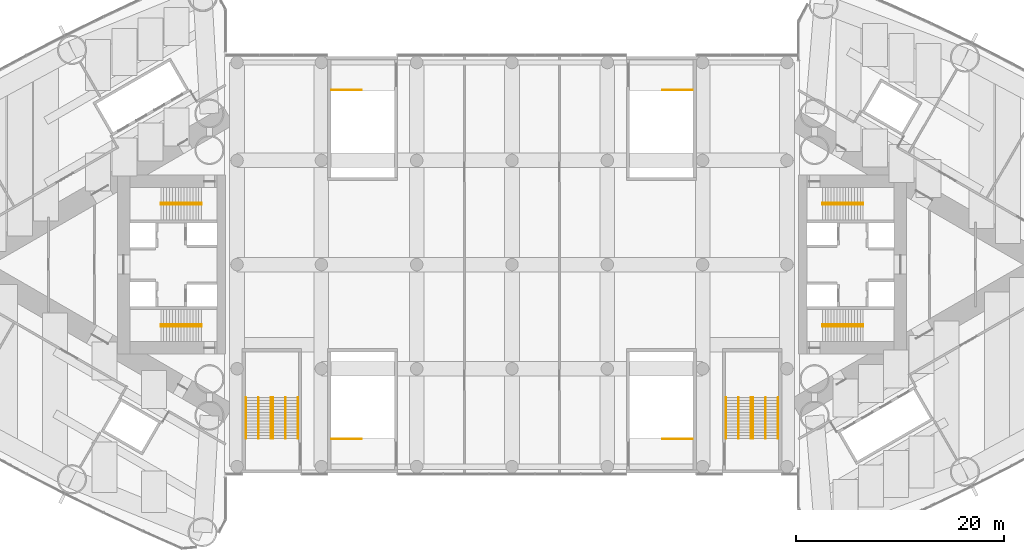
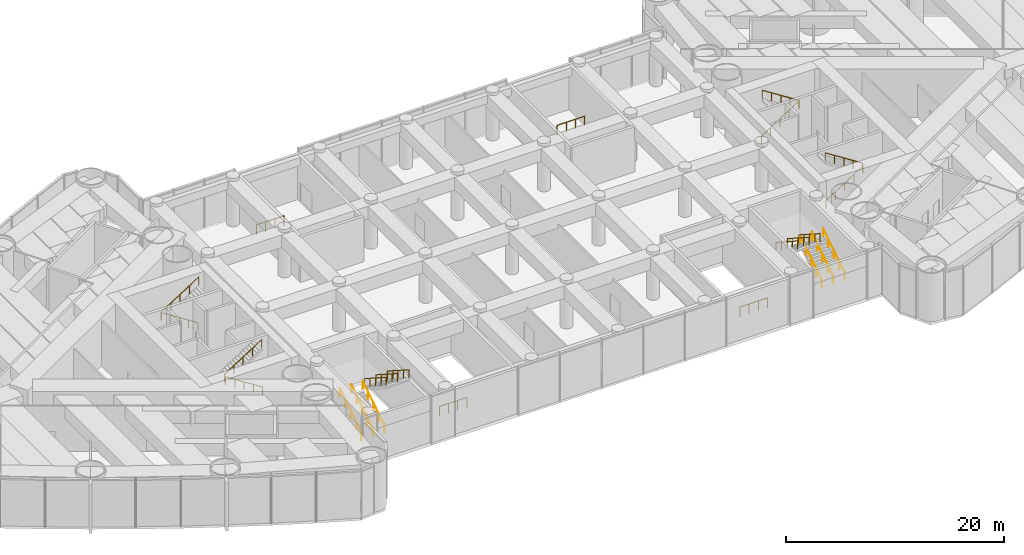
# One storey, part 20 of 20: 24 railings.
"""IFC4 building model written with IfcOpenShell, lengths in metres."""

from ifc_helpers import new_model, si_unit, direction, frame, origin, origin_2d, place, context, subcontext, project, spatial, circle, extrude, material, type_object, element, save


model = new_model("IFC4")

# Units and contexts
model_context = context("Model", 3, precision=1e-05, world=origin(), true_north=direction((0.0, 1.0)))
body_context = subcontext(model_context, "Body", "Model", "MODEL_VIEW")
ifc_project = project(units=[si_unit("LENGTHUNIT", "METRE"), si_unit("AREAUNIT", "SQUARE_METRE"), si_unit("VOLUMEUNIT", "CUBIC_METRE"), si_unit("PLANEANGLEUNIT", "RADIAN"), si_unit("MASSUNIT", "GRAM", prefix="KILO")], contexts=[model_context])

# Site, building, storey
site_placement = place(None, origin())
site = spatial("IfcSite", under=ifc_project, at=site_placement, CompositionType="ELEMENT")
building_placement = place(site_placement, origin())
building = spatial("IfcBuilding", under=site, at=building_placement, Name="Lancet Gate Hotel", CompositionType="ELEMENT")
storey_placement = place(building_placement, frame((0.0, 0.0, 7.199951171875)))
storey = spatial("IfcBuildingStorey", under=building, at=storey_placement, Name="L01", CompositionType="ELEMENT", Elevation=7.199951171875)

# Railings
ifc_material_1 = material(Name="Stainless steel handrail", Category="steel")
railing_type_1 = type_object("IfcRailingType", Name="Stair centre handrail 900", PredefinedType="HANDRAIL", material=ifc_material_1)
railing_1_placement = place(storey_placement, frame((24.35009765625, -16.699951171875, 0.179931640625)))
element("IfcRailing", 1, at=railing_1_placement, inside=storey, type_object=railing_type_1, Name="PS5 handrail flight 1 centre L01", PredefinedType="HANDRAIL", context=body_context, shape_type="SweptSolid", body=[
    extrude(circle(Radius=0.02392578125, at=origin_2d()), frame((0.0, 0.0, 0.8759765625), z_axis=(0.0, 0.841171666519, 0.540768182723), x_axis=(-1.0, 0.0, 0.0)), (0.0, 0.0, 1.0), 4.66015625),
    extrude(circle(Radius=0.02099609375, at=origin_2d()), origin(), (0.0, 0.0, 1.0), 0.851806640625),
    extrude(circle(Radius=0.02099609375, at=origin_2d()), frame((0.0, 0.97998046875, 0.6298828125)), (0.0, 0.0, 1.0), 0.851806640625),
    extrude(circle(Radius=0.02099609375, at=origin_2d()), frame((0.0, 1.9599609375, 1.260009765625)), (0.0, 0.0, 1.0), 0.851806640625),
    extrude(circle(Radius=0.02099609375, at=origin_2d()), frame((0.0, 2.93994140625, 1.89013671875)), (0.0, 0.0, 1.0), 0.851806640625),
    extrude(circle(Radius=0.02099609375, at=origin_2d()), frame((0.0, 3.919921875, 2.52001953125)), (0.0, 0.0, 1.0), 0.851806640625),
])
railing_2_placement = place(storey_placement, frame((21.75, -12.780029296875, 2.880126953125)))
element("IfcRailing", 2, at=railing_2_placement, inside=storey, type_object=railing_type_1, Name="PS5 handrail flight 2 centre L01", PredefinedType="HANDRAIL", context=body_context, shape_type="SweptSolid", body=[
    extrude(circle(Radius=0.02392578125, at=origin_2d()), frame((0.0, 0.0, 0.8759765625), z_axis=(0.0, -0.841171666519, 0.540768182723), x_axis=(1.0, 0.0, 0.0)), (0.0, 0.0, 1.0), 4.66015625),
    extrude(circle(Radius=0.02099609375, at=origin_2d()), origin(), (0.0, 0.0, 1.0), 0.851806640625),
    extrude(circle(Radius=0.02099609375, at=origin_2d()), frame((0.0, -0.97998046875, 0.6298828125)), (0.0, 0.0, 1.0), 0.851806640625),
    extrude(circle(Radius=0.02099609375, at=origin_2d()), frame((0.0, -1.9599609375, 1.260009765625)), (0.0, 0.0, 1.0), 0.851806640625),
    extrude(circle(Radius=0.02099609375, at=origin_2d()), frame((0.0, -2.93994140625, 1.89013671875)), (0.0, 0.0, 1.0), 0.851806640625),
    extrude(circle(Radius=0.02099609375, at=origin_2d()), frame((0.0, -3.919921875, 2.52001953125)), (0.0, 0.0, 1.0), 0.851806640625),
])
railing_3_placement = place(storey_placement, frame((-24.35009765625, -16.699951171875, 0.179931640625)))
element("IfcRailing", 3, at=railing_3_placement, inside=storey, type_object=railing_type_1, Name="PS6 handrail flight 1 centre L01", PredefinedType="HANDRAIL", context=body_context, shape_type="SweptSolid", body=[
    extrude(circle(Radius=0.02392578125, at=origin_2d()), frame((0.0, 0.0, 0.8759765625), z_axis=(0.0, 0.841171666519, 0.540768182723), x_axis=(-1.0, 0.0, 0.0)), (0.0, 0.0, 1.0), 4.66015625),
    extrude(circle(Radius=0.02099609375, at=origin_2d()), origin(), (0.0, 0.0, 1.0), 0.851806640625),
    extrude(circle(Radius=0.02099609375, at=origin_2d()), frame((0.0, 0.97998046875, 0.6298828125)), (0.0, 0.0, 1.0), 0.851806640625),
    extrude(circle(Radius=0.02099609375, at=origin_2d()), frame((0.0, 1.9599609375, 1.260009765625)), (0.0, 0.0, 1.0), 0.851806640625),
    extrude(circle(Radius=0.02099609375, at=origin_2d()), frame((0.0, 2.93994140625, 1.89013671875)), (0.0, 0.0, 1.0), 0.851806640625),
    extrude(circle(Radius=0.02099609375, at=origin_2d()), frame((0.0, 3.919921875, 2.52001953125)), (0.0, 0.0, 1.0), 0.851806640625),
])
railing_4_placement = place(storey_placement, frame((-21.75, -12.780029296875, 2.880126953125)))
element("IfcRailing", 4, at=railing_4_placement, inside=storey, type_object=railing_type_1, Name="PS6 handrail flight 2 centre L01", PredefinedType="HANDRAIL", context=body_context, shape_type="SweptSolid", body=[
    extrude(circle(Radius=0.02392578125, at=origin_2d()), frame((0.0, 0.0, 0.8759765625), z_axis=(0.0, -0.841171666519, 0.540768182723), x_axis=(1.0, 0.0, 0.0)), (0.0, 0.0, 1.0), 4.66015625),
    extrude(circle(Radius=0.02099609375, at=origin_2d()), origin(), (0.0, 0.0, 1.0), 0.851806640625),
    extrude(circle(Radius=0.02099609375, at=origin_2d()), frame((0.0, -0.97998046875, 0.6298828125)), (0.0, 0.0, 1.0), 0.851806640625),
    extrude(circle(Radius=0.02099609375, at=origin_2d()), frame((0.0, -1.9599609375, 1.260009765625)), (0.0, 0.0, 1.0), 0.851806640625),
    extrude(circle(Radius=0.02099609375, at=origin_2d()), frame((0.0, -2.93994140625, 1.89013671875)), (0.0, 0.0, 1.0), 0.851806640625),
    extrude(circle(Radius=0.02099609375, at=origin_2d()), frame((0.0, -3.919921875, 2.52001953125)), (0.0, 0.0, 1.0), 0.851806640625),
])
ifc_material_2 = material(Name="Stainless steel handrail", Category="steel")
railing_type_2 = type_object("IfcRailingType", Name="Stair handrail 900", PredefinedType="HANDRAIL", material=ifc_material_2)
railing_5_placement = place(storey_placement, frame((-29.800048828125, 5.929931640625, 0.179931640625)))
element("IfcRailing", 5, at=railing_5_placement, inside=storey, type_object=railing_type_2, Name="ST1 handrail flight 1 L01", PredefinedType="HANDRAIL", context=body_context, shape_type="SweptSolid", body=[
    extrude(circle(Radius=0.02392578125, at=origin_2d()), frame((0.0, 0.0, 0.8759765625), z_axis=(-0.841171666519, 0.0, 0.540768182723), x_axis=(0.0, -1.0, 0.0)), (0.0, 0.0, 1.0), 4.66015625),
    extrude(circle(Radius=0.02099609375, at=origin_2d()), origin(), (0.0, 0.0, 1.0), 0.851806640625),
    extrude(circle(Radius=0.02099609375, at=origin_2d()), frame((-0.97998046875, 0.0, 0.6298828125)), (0.0, 0.0, 1.0), 0.851806640625),
    extrude(circle(Radius=0.02099609375, at=origin_2d()), frame((-1.9599609375, 0.0, 1.260009765625)), (0.0, 0.0, 1.0), 0.851806640625),
    extrude(circle(Radius=0.02099609375, at=origin_2d()), frame((-2.93994140625, 0.0, 1.89013671875)), (0.0, 0.0, 1.0), 0.851806640625),
    extrude(circle(Radius=0.02099609375, at=origin_2d()), frame((-3.919921875, 0.0, 2.52001953125)), (0.0, 0.0, 1.0), 0.851806640625),
])
railing_6_placement = place(storey_placement, frame((-33.719970703125, 5.77001953125, 2.880126953125)))
element("IfcRailing", 6, at=railing_6_placement, inside=storey, type_object=railing_type_2, Name="ST1 handrail flight 2 L01", PredefinedType="HANDRAIL", context=body_context, shape_type="SweptSolid", body=[
    extrude(circle(Radius=0.02392578125, at=origin_2d()), frame((0.0, 0.0, 0.8759765625), z_axis=(0.841171666519, 0.0, 0.540768182723), x_axis=(0.0, 1.0, 0.0)), (0.0, 0.0, 1.0), 4.66015625),
    extrude(circle(Radius=0.02099609375, at=origin_2d()), origin(), (0.0, 0.0, 1.0), 0.851806640625),
    extrude(circle(Radius=0.02099609375, at=origin_2d()), frame((0.97998046875, 0.0, 0.6298828125)), (0.0, 0.0, 1.0), 0.851806640625),
    extrude(circle(Radius=0.02099609375, at=origin_2d()), frame((1.9599609375, 0.0, 1.260009765625)), (0.0, 0.0, 1.0), 0.851806640625),
    extrude(circle(Radius=0.02099609375, at=origin_2d()), frame((2.93994140625, 0.0, 1.89013671875)), (0.0, 0.0, 1.0), 0.851806640625),
    extrude(circle(Radius=0.02099609375, at=origin_2d()), frame((3.919921875, 0.0, 2.52001953125)), (0.0, 0.0, 1.0), 0.851806640625),
])
railing_7_placement = place(storey_placement, frame((-29.800048828125, -5.929931640625, 0.179931640625)))
element("IfcRailing", 7, at=railing_7_placement, inside=storey, type_object=railing_type_2, Name="ST2 handrail flight 1 L01", PredefinedType="HANDRAIL", context=body_context, shape_type="SweptSolid", body=[
    extrude(circle(Radius=0.02392578125, at=origin_2d()), frame((0.0, 0.0, 0.8759765625), z_axis=(-0.841171666519, 0.0, 0.540768182723), x_axis=(0.0, -1.0, 0.0)), (0.0, 0.0, 1.0), 4.66015625),
    extrude(circle(Radius=0.02099609375, at=origin_2d()), origin(), (0.0, 0.0, 1.0), 0.851806640625),
    extrude(circle(Radius=0.02099609375, at=origin_2d()), frame((-0.97998046875, 0.0, 0.6298828125)), (0.0, 0.0, 1.0), 0.851806640625),
    extrude(circle(Radius=0.02099609375, at=origin_2d()), frame((-1.9599609375, 0.0, 1.260009765625)), (0.0, 0.0, 1.0), 0.851806640625),
    extrude(circle(Radius=0.02099609375, at=origin_2d()), frame((-2.93994140625, 0.0, 1.89013671875)), (0.0, 0.0, 1.0), 0.851806640625),
    extrude(circle(Radius=0.02099609375, at=origin_2d()), frame((-3.919921875, 0.0, 2.52001953125)), (0.0, 0.0, 1.0), 0.851806640625),
])
for number, where, name in (
    (8, (-33.719970703125, -5.77001953125, 2.880126953125), "ST2 handrail flight 2 L01"),
    (9, (29.800048828125, -5.929931640625, 0.179931640625), "ST3 handrail flight 1 L01"),
):
    element("IfcRailing", number, at=place(storey_placement, frame(where)), inside=storey, type_object=railing_type_2, Name=name, PredefinedType="HANDRAIL", context=body_context, shape_type="SweptSolid", body=[
        extrude(circle(Radius=0.02392578125, at=origin_2d()), frame((0.0, 0.0, 0.8759765625), z_axis=(0.841171666519, 0.0, 0.540768182723), x_axis=(0.0, 1.0, 0.0)), (0.0, 0.0, 1.0), 4.66015625),
        extrude(circle(Radius=0.02099609375, at=origin_2d()), origin(), (0.0, 0.0, 1.0), 0.851806640625),
        extrude(circle(Radius=0.02099609375, at=origin_2d()), frame((0.97998046875, 0.0, 0.6298828125)), (0.0, 0.0, 1.0), 0.851806640625),
        extrude(circle(Radius=0.02099609375, at=origin_2d()), frame((1.9599609375, 0.0, 1.260009765625)), (0.0, 0.0, 1.0), 0.851806640625),
        extrude(circle(Radius=0.02099609375, at=origin_2d()), frame((2.93994140625, 0.0, 1.89013671875)), (0.0, 0.0, 1.0), 0.851806640625),
        extrude(circle(Radius=0.02099609375, at=origin_2d()), frame((3.919921875, 0.0, 2.52001953125)), (0.0, 0.0, 1.0), 0.851806640625),
    ])
railing_8_placement = place(storey_placement, frame((33.719970703125, -5.77001953125, 2.880126953125)))
element("IfcRailing", 10, at=railing_8_placement, inside=storey, type_object=railing_type_2, Name="ST3 handrail flight 2 L01", PredefinedType="HANDRAIL", context=body_context, shape_type="SweptSolid", body=[
    extrude(circle(Radius=0.02392578125, at=origin_2d()), frame((0.0, 0.0, 0.8759765625), z_axis=(-0.841171666519, 0.0, 0.540768182723), x_axis=(0.0, -1.0, 0.0)), (0.0, 0.0, 1.0), 4.66015625),
    extrude(circle(Radius=0.02099609375, at=origin_2d()), origin(), (0.0, 0.0, 1.0), 0.851806640625),
    extrude(circle(Radius=0.02099609375, at=origin_2d()), frame((-0.97998046875, 0.0, 0.6298828125)), (0.0, 0.0, 1.0), 0.851806640625),
    extrude(circle(Radius=0.02099609375, at=origin_2d()), frame((-1.9599609375, 0.0, 1.260009765625)), (0.0, 0.0, 1.0), 0.851806640625),
    extrude(circle(Radius=0.02099609375, at=origin_2d()), frame((-2.93994140625, 0.0, 1.89013671875)), (0.0, 0.0, 1.0), 0.851806640625),
    extrude(circle(Radius=0.02099609375, at=origin_2d()), frame((-3.919921875, 0.0, 2.52001953125)), (0.0, 0.0, 1.0), 0.851806640625),
])
railing_9_placement = place(storey_placement, frame((29.800048828125, 5.929931640625, 0.179931640625)))
element("IfcRailing", 11, at=railing_9_placement, inside=storey, type_object=railing_type_2, Name="ST4 handrail flight 1 L01", PredefinedType="HANDRAIL", context=body_context, shape_type="SweptSolid", body=[
    extrude(circle(Radius=0.02392578125, at=origin_2d()), frame((0.0, 0.0, 0.8759765625), z_axis=(0.841171666519, 0.0, 0.540768182723), x_axis=(0.0, 1.0, 0.0)), (0.0, 0.0, 1.0), 4.66015625),
    extrude(circle(Radius=0.02099609375, at=origin_2d()), origin(), (0.0, 0.0, 1.0), 0.851806640625),
    extrude(circle(Radius=0.02099609375, at=origin_2d()), frame((0.97998046875, 0.0, 0.6298828125)), (0.0, 0.0, 1.0), 0.851806640625),
    extrude(circle(Radius=0.02099609375, at=origin_2d()), frame((1.9599609375, 0.0, 1.260009765625)), (0.0, 0.0, 1.0), 0.851806640625),
    extrude(circle(Radius=0.02099609375, at=origin_2d()), frame((2.93994140625, 0.0, 1.89013671875)), (0.0, 0.0, 1.0), 0.851806640625),
    extrude(circle(Radius=0.02099609375, at=origin_2d()), frame((3.919921875, 0.0, 2.52001953125)), (0.0, 0.0, 1.0), 0.851806640625),
])
railing_10_placement = place(storey_placement, frame((33.719970703125, 5.77001953125, 2.880126953125)))
element("IfcRailing", 12, at=railing_10_placement, inside=storey, type_object=railing_type_2, Name="ST4 handrail flight 2 L01", PredefinedType="HANDRAIL", context=body_context, shape_type="SweptSolid", body=[
    extrude(circle(Radius=0.02392578125, at=origin_2d()), frame((0.0, 0.0, 0.8759765625), z_axis=(-0.841171666519, 0.0, 0.540768182723), x_axis=(0.0, -1.0, 0.0)), (0.0, 0.0, 1.0), 4.66015625),
    extrude(circle(Radius=0.02099609375, at=origin_2d()), origin(), (0.0, 0.0, 1.0), 0.851806640625),
    extrude(circle(Radius=0.02099609375, at=origin_2d()), frame((-0.97998046875, 0.0, 0.6298828125)), (0.0, 0.0, 1.0), 0.851806640625),
    extrude(circle(Radius=0.02099609375, at=origin_2d()), frame((-1.9599609375, 0.0, 1.260009765625)), (0.0, 0.0, 1.0), 0.851806640625),
    extrude(circle(Radius=0.02099609375, at=origin_2d()), frame((-2.93994140625, 0.0, 1.89013671875)), (0.0, 0.0, 1.0), 0.851806640625),
    extrude(circle(Radius=0.02099609375, at=origin_2d()), frame((-3.919921875, 0.0, 2.52001953125)), (0.0, 0.0, 1.0), 0.851806640625),
])
for number, where, name in (
    (13, (23.14990234375, -16.699951171875, 0.179931640625), "PS5 handrail flight 1 left L01"),
    (14, (25.550048828125, -16.699951171875, 0.179931640625), "PS5 handrail flight 1 right L01"),
):
    element("IfcRailing", number, at=place(storey_placement, frame(where)), inside=storey, type_object=railing_type_2, Name=name, PredefinedType="HANDRAIL", context=body_context, shape_type="SweptSolid", body=[
        extrude(circle(Radius=0.02392578125, at=origin_2d()), frame((0.0, 0.0, 0.8759765625), z_axis=(0.0, 0.841171666519, 0.540768182723), x_axis=(-1.0, 0.0, 0.0)), (0.0, 0.0, 1.0), 4.66015625),
        extrude(circle(Radius=0.02099609375, at=origin_2d()), origin(), (0.0, 0.0, 1.0), 0.851806640625),
        extrude(circle(Radius=0.02099609375, at=origin_2d()), frame((0.0, 0.97998046875, 0.6298828125)), (0.0, 0.0, 1.0), 0.851806640625),
        extrude(circle(Radius=0.02099609375, at=origin_2d()), frame((0.0, 1.9599609375, 1.260009765625)), (0.0, 0.0, 1.0), 0.851806640625),
        extrude(circle(Radius=0.02099609375, at=origin_2d()), frame((0.0, 2.93994140625, 1.89013671875)), (0.0, 0.0, 1.0), 0.851806640625),
        extrude(circle(Radius=0.02099609375, at=origin_2d()), frame((0.0, 3.919921875, 2.52001953125)), (0.0, 0.0, 1.0), 0.851806640625),
    ])
for number, where, name in (
    (15, (20.550048828125, -12.780029296875, 2.880126953125), "PS5 handrail flight 2 left L01"),
    (16, (22.949951171875, -12.780029296875, 2.880126953125), "PS5 handrail flight 2 right L01"),
):
    element("IfcRailing", number, at=place(storey_placement, frame(where)), inside=storey, type_object=railing_type_2, Name=name, PredefinedType="HANDRAIL", context=body_context, shape_type="SweptSolid", body=[
        extrude(circle(Radius=0.02392578125, at=origin_2d()), frame((0.0, 0.0, 0.8759765625), z_axis=(0.0, -0.841171666519, 0.540768182723), x_axis=(1.0, 0.0, 0.0)), (0.0, 0.0, 1.0), 4.66015625),
        extrude(circle(Radius=0.02099609375, at=origin_2d()), origin(), (0.0, 0.0, 1.0), 0.851806640625),
        extrude(circle(Radius=0.02099609375, at=origin_2d()), frame((0.0, -0.97998046875, 0.6298828125)), (0.0, 0.0, 1.0), 0.851806640625),
        extrude(circle(Radius=0.02099609375, at=origin_2d()), frame((0.0, -1.9599609375, 1.260009765625)), (0.0, 0.0, 1.0), 0.851806640625),
        extrude(circle(Radius=0.02099609375, at=origin_2d()), frame((0.0, -2.93994140625, 1.89013671875)), (0.0, 0.0, 1.0), 0.851806640625),
        extrude(circle(Radius=0.02099609375, at=origin_2d()), frame((0.0, -3.919921875, 2.52001953125)), (0.0, 0.0, 1.0), 0.851806640625),
    ])
for number, where, name in (
    (17, (-25.550048828125, -16.699951171875, 0.179931640625), "PS6 handrail flight 1 left L01"),
    (18, (-23.14990234375, -16.699951171875, 0.179931640625), "PS6 handrail flight 1 right L01"),
):
    element("IfcRailing", number, at=place(storey_placement, frame(where)), inside=storey, type_object=railing_type_2, Name=name, PredefinedType="HANDRAIL", context=body_context, shape_type="SweptSolid", body=[
        extrude(circle(Radius=0.02392578125, at=origin_2d()), frame((0.0, 0.0, 0.8759765625), z_axis=(0.0, 0.841171666519, 0.540768182723), x_axis=(-1.0, 0.0, 0.0)), (0.0, 0.0, 1.0), 4.66015625),
        extrude(circle(Radius=0.02099609375, at=origin_2d()), origin(), (0.0, 0.0, 1.0), 0.851806640625),
        extrude(circle(Radius=0.02099609375, at=origin_2d()), frame((0.0, 0.97998046875, 0.6298828125)), (0.0, 0.0, 1.0), 0.851806640625),
        extrude(circle(Radius=0.02099609375, at=origin_2d()), frame((0.0, 1.9599609375, 1.260009765625)), (0.0, 0.0, 1.0), 0.851806640625),
        extrude(circle(Radius=0.02099609375, at=origin_2d()), frame((0.0, 2.93994140625, 1.89013671875)), (0.0, 0.0, 1.0), 0.851806640625),
        extrude(circle(Radius=0.02099609375, at=origin_2d()), frame((0.0, 3.919921875, 2.52001953125)), (0.0, 0.0, 1.0), 0.851806640625),
    ])
for number, where, name in (
    (19, (-22.949951171875, -12.780029296875, 2.880126953125), "PS6 handrail flight 2 left L01"),
    (20, (-20.550048828125, -12.780029296875, 2.880126953125), "PS6 handrail flight 2 right L01"),
):
    element("IfcRailing", number, at=place(storey_placement, frame(where)), inside=storey, type_object=railing_type_2, Name=name, PredefinedType="HANDRAIL", context=body_context, shape_type="SweptSolid", body=[
        extrude(circle(Radius=0.02392578125, at=origin_2d()), frame((0.0, 0.0, 0.8759765625), z_axis=(0.0, -0.841171666519, 0.540768182723), x_axis=(1.0, 0.0, 0.0)), (0.0, 0.0, 1.0), 4.66015625),
        extrude(circle(Radius=0.02099609375, at=origin_2d()), origin(), (0.0, 0.0, 1.0), 0.851806640625),
        extrude(circle(Radius=0.02099609375, at=origin_2d()), frame((0.0, -0.97998046875, 0.6298828125)), (0.0, 0.0, 1.0), 0.851806640625),
        extrude(circle(Radius=0.02099609375, at=origin_2d()), frame((0.0, -1.9599609375, 1.260009765625)), (0.0, 0.0, 1.0), 0.851806640625),
        extrude(circle(Radius=0.02099609375, at=origin_2d()), frame((0.0, -2.93994140625, 1.89013671875)), (0.0, 0.0, 1.0), 0.851806640625),
        extrude(circle(Radius=0.02099609375, at=origin_2d()), frame((0.0, -3.919921875, 2.52001953125)), (0.0, 0.0, 1.0), 0.851806640625),
    ])
ifc_material_3 = material(Name="Steel guard rail", Category="steel")
railing_type_3 = type_object("IfcRailingType", Name="Stair well guard 1100", PredefinedType="GUARDRAIL", material=ifc_material_3)
for number, where, name in (
    (21, (14.449951171875, -16.75, 0.0), "PS1 well guard L01"),
    (22, (14.449951171875, 16.75, 0.0), "PS2 well guard L01"),
    (23, (-17.35009765625, -16.75, 0.0), "PS3 well guard L01"),
    (24, (-17.35009765625, 16.75, 0.0), "PS4 well guard L01"),
):
    element("IfcRailing", number, at=place(storey_placement, frame(where)), inside=storey, type_object=railing_type_3, Name=name, PredefinedType="GUARDRAIL", context=body_context, shape_type="SweptSolid", body=[
        extrude(circle(Radius=0.02392578125, at=origin_2d()), frame((0.0, 0.0, 1.076171875), z_axis=(1.0, 0.0, 0.0), x_axis=(0.0, 1.0, 0.0)), (0.0, 0.0, 1.0), 2.900146484375),
        extrude(circle(Radius=0.02099609375, at=origin_2d()), origin(), (0.0, 0.0, 1.0), 1.052001953125),
        extrude(circle(Radius=0.02099609375, at=origin_2d()), frame((0.966796875, 0.0, 0.0)), (0.0, 0.0, 1.0), 1.052001953125),
        extrude(circle(Radius=0.02099609375, at=origin_2d()), frame((1.933349609375, 0.0, 0.0)), (0.0, 0.0, 1.0), 1.052001953125),
        extrude(circle(Radius=0.02099609375, at=origin_2d()), frame((2.900146484375, 0.0, 0.0)), (0.0, 0.0, 1.0), 1.052001953125),
    ])

save(model, "model.ifc")
